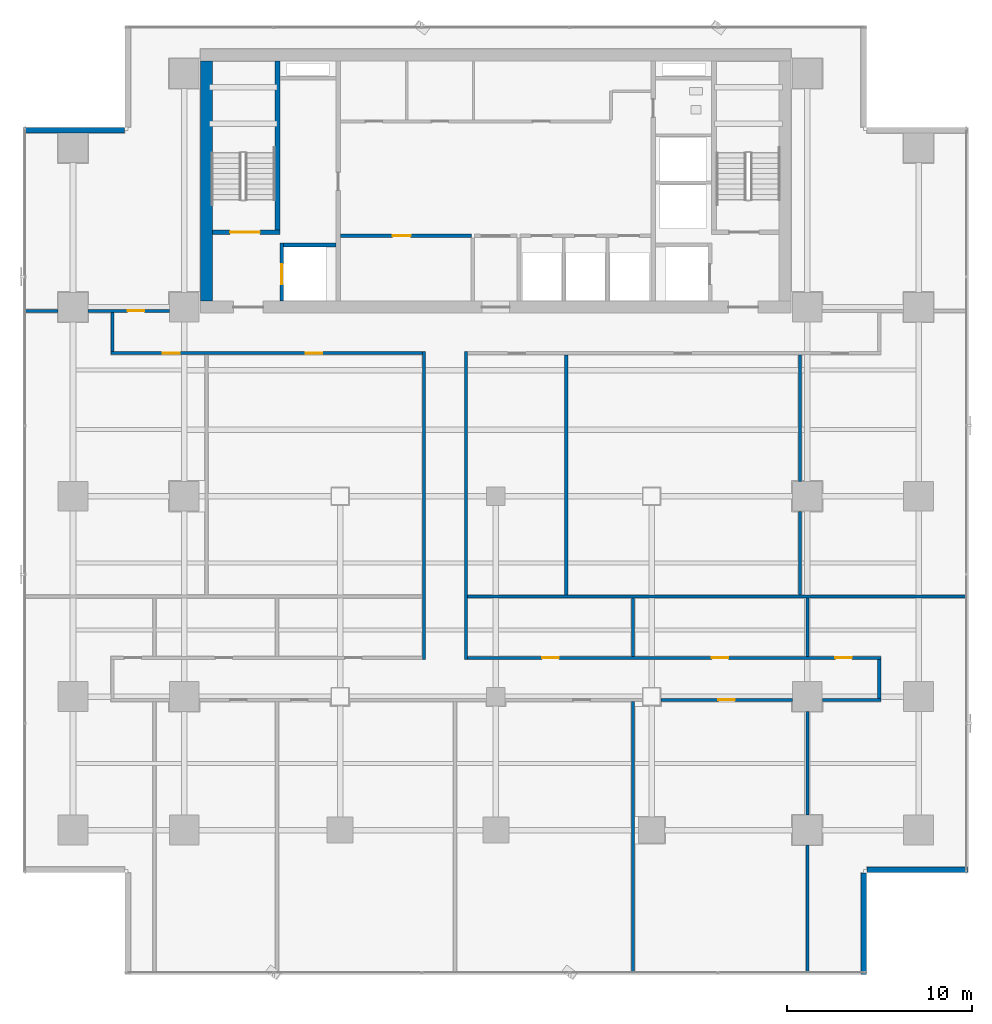
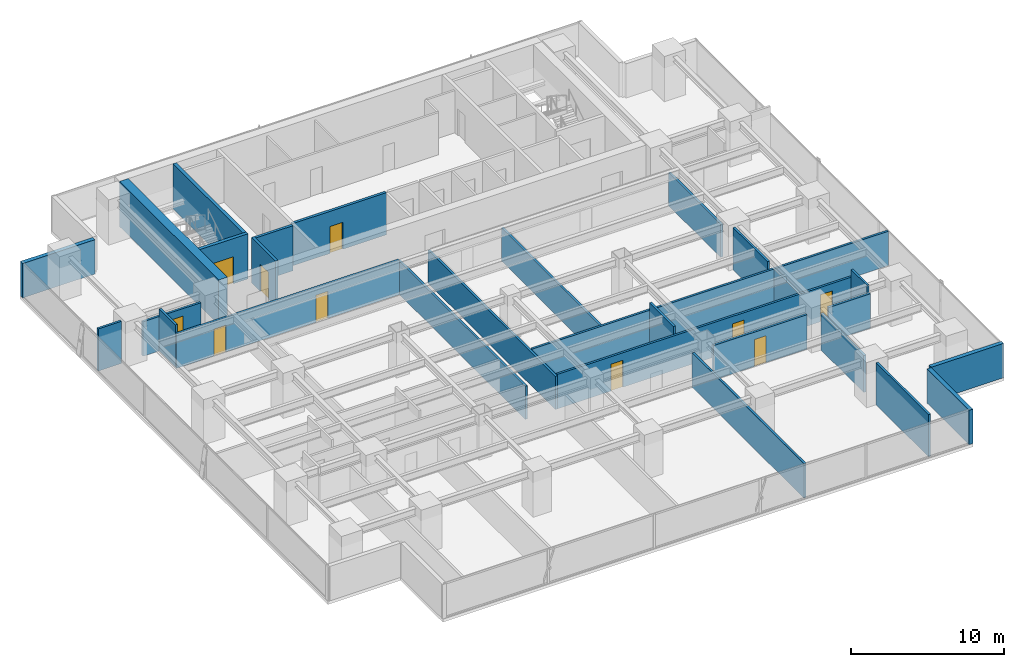
# One storey, part 26 of 34: 28 walls, 10 doors, 10 openings.
"""IFC4 building model written with IfcOpenShell, lengths in metres."""

from ifc_helpers import new_model, si_unit, direction, frame, frame_2d, origin, place, context, subcontext, project, spatial, rectangle, extrude, source, transform, mapped, material, layer, layer_set, type_object, element, fill, save


model = new_model("IFC4")

# Units and contexts
model_context = context("Model", 3, precision=1e-05, world=origin(), true_north=direction((0.0, 1.0)))
body_context = subcontext(model_context, "Body", "Model", "MODEL_VIEW")
ifc_project = project(units=[si_unit("LENGTHUNIT", "METRE"), si_unit("AREAUNIT", "SQUARE_METRE"), si_unit("VOLUMEUNIT", "CUBIC_METRE"), si_unit("PLANEANGLEUNIT", "RADIAN"), si_unit("MASSUNIT", "GRAM", prefix="KILO")], contexts=[model_context])

# Site, building, storey
site_placement = place(None, origin())
site = spatial("IfcSite", under=ifc_project, at=site_placement, CompositionType="ELEMENT")
building_placement = place(site_placement, origin())
building = spatial("IfcBuilding", under=site, at=building_placement, Name="Sumidabori Civic Tower", CompositionType="ELEMENT")
storey_placement = place(building_placement, frame((0.0, 0.0, 106.39990234375)))
storey = spatial("IfcBuildingStorey", under=building, at=storey_placement, Name="L27", CompositionType="ELEMENT", Elevation=106.39990234375)

# Walls
ifc_material_1 = material(Name="Concrete C50/60", Category="concrete")
ifc_layer_1 = layer(ifc_material_1, 0.199951171875, Name="Concrete C50/60")
ifc_layer_set_1 = layer_set([ifc_layer_1], Name="Concrete C50/60")
wall_type_1 = type_object("IfcWallType", Name="WL-SHAFT-200", PredefinedType="SHEAR", material=ifc_layer_set_1)
shared_shape_1 = source(origin(), body_context, "Body", "SweptSolid", [
    extrude(rectangle(XDim=2.824951171875, YDim=0.199951171875, at=frame_2d((1.41259765625, 0.0))), origin(), (0.0, 0.0, 1.0), 3.60009765625),
])
wall_1_placement = place(storey_placement, frame((-11.449951171875, 13.550048828125, 0.0), z_axis=(0.0, 0.0, 1.0), x_axis=(1.0, 0.0, 0.0)))
element("IfcWall", 1, at=wall_1_placement, inside=storey, type_object=wall_type_1, Name="Core Shear Wall L27 EL1-N", PredefinedType="SHEAR", context=body_context, shape_type="MappedRepresentation", body=[
    mapped(shared_shape_1, transform((0.0, 0.0, 0.0), x_axis=(1.0, 0.0, 0.0), y_axis=(0.0, 1.0, 0.0), z_axis=(0.0, 0.0, 1.0), scale=1.0)),
])
ifc_material_2 = material(Name="Concrete C60/75", Category="concrete")
ifc_layer_2 = layer(ifc_material_2, 0.64990234375, Name="Concrete C60/75")
ifc_layer_set_2 = layer_set([ifc_layer_2], Name="Concrete C60/75")
wall_type_2 = type_object("IfcWallType", Name="WL-CORE-650", PredefinedType="SHEAR", material=ifc_layer_set_2)
shared_shape_2 = source(origin(), body_context, "Body", "SweptSolid", [
    extrude(rectangle(XDim=12.9501953125, YDim=0.64990234375, at=frame_2d((6.47509765625, 0.0))), origin(), (0.0, 0.0, 1.0), 3.60009765625),
])
wall_2_placement = place(storey_placement, frame((-15.60009765625, 10.52490234375, 0.0), z_axis=(0.0, 0.0, 1.0), x_axis=(0.0, 1.0, 0.0)))
element("IfcWall", 2, at=wall_2_placement, inside=storey, type_object=wall_type_2, Name="Core Shear Wall L27 W", PredefinedType="SHEAR", context=body_context, shape_type="MappedRepresentation", body=[
    mapped(shared_shape_2, transform((0.0, 0.0, 0.0), x_axis=(1.0, 0.0, 0.0), y_axis=(0.0, 1.0, 0.0), z_axis=(0.0, 0.0, 1.0), scale=1.0)),
])

# Wall, opening, door
ifc_layer_3 = layer(ifc_material_1, 0.25, Name="Concrete C50/60")
ifc_layer_set_3 = layer_set([ifc_layer_3], Name="Concrete C50/60")
wall_type_3 = type_object("IfcWallType", Name="WL-SHAFT-250", PredefinedType="SHEAR", material=ifc_layer_set_3)
shared_shape_3 = source(origin(), body_context, "Body", "SweptSolid", [
    extrude(rectangle(XDim=3.6298828125, YDim=0.25, at=frame_2d((1.81494140625, 0.0))), origin(), (0.0, 0.0, 1.0), 3.60009765625),
])
wall_3_placement = place(storey_placement, frame((-15.27490234375, 14.25, 0.0), z_axis=(0.0, 0.0, 1.0), x_axis=(1.0, 0.0, 0.0)))
wall_3 = element("IfcWall", 3, at=wall_3_placement, inside=storey, type_object=wall_type_3, Name="Core Shear Wall L27 ST1-S", PredefinedType="SHEAR", context=body_context, shape_type="MappedRepresentation", body=[
    mapped(shared_shape_3, transform((0.0, 0.0, 0.0), x_axis=(1.0, 0.0, 0.0), y_axis=(0.0, 1.0, 0.0), z_axis=(0.0, 0.0, 1.0), scale=1.0)),
])
opening_1_placement = place(wall_3_placement, frame((0.949951171875, 0.0, 0.0)))
opening_1 = element("IfcOpeningElement", 4, at=opening_1_placement, cuts=wall_3, Name="Opening DR-FD4", PredefinedType="OPENING", context=body_context, shape_type="SweptSolid", body=[
    extrude(rectangle(XDim=1.60009765625, YDim=2.14990234375, at=frame_2d((0.800048828125, 1.074951171875))), frame((0.0, 0.136962890625, 0.0), z_axis=(0.0, -1.0, 0.0), x_axis=(1.0, 0.0, 0.0)), (0.0, 0.0, 1.0), 0.27392578125),
])
ifc_material_3 = material(Name="Steel SN490", Category="steel")
door_type_1 = type_object("IfcDoorType", Name="DR-FD4", OperationType="DOUBLE_DOOR_SINGLE_SWING", PredefinedType="DOOR", material=ifc_material_3)
shared_shape_4 = source(origin(), body_context, "Body", "SweptSolid", [
    extrude(rectangle(XDim=1.60009765625, YDim=2.14990234375, at=frame_2d((0.800048828125, 1.074951171875))), frame((0.0, 0.02490234375, 0.0), z_axis=(0.0, -1.0, 0.0), x_axis=(1.0, 0.0, 0.0)), (0.0, 0.0, 1.0), 0.050048828125),
])
door_1_placement = place(opening_1_placement, origin())
door_1 = element("IfcDoor", 5, at=door_1_placement, inside=storey, type_object=door_type_1, Name="Door DR:L27:ST1", OperationType="DOUBLE_DOOR_SINGLE_SWING", OverallHeight=2.14990234375, OverallWidth=1.60009765625, PredefinedType="DOOR", context=body_context, shape_type="MappedRepresentation", body=[
    mapped(shared_shape_4, transform((0.0, 0.0, 0.0), x_axis=(1.0, 0.0, 0.0), y_axis=(0.0, 1.0, 0.0), z_axis=(0.0, 0.0, 1.0), scale=1.0)),
])
fill(opening_1, door_1)

# Wall
shared_shape_5 = source(origin(), body_context, "Body", "SweptSolid", [
    extrude(rectangle(XDim=9.10009765625, YDim=0.25, at=frame_2d((4.550048828125, 0.0))), origin(), (0.0, 0.0, 1.0), 3.60009765625),
])
wall_4_placement = place(storey_placement, frame((-11.77001953125, 14.375, 0.0), z_axis=(0.0, 0.0, 1.0), x_axis=(0.0, 1.0, 0.0)))
element("IfcWall", 6, at=wall_4_placement, inside=storey, type_object=wall_type_3, Name="Core Shear Wall L27 ST1-E", PredefinedType="SHEAR", context=body_context, shape_type="MappedRepresentation", body=[
    mapped(shared_shape_5, transform((0.0, 0.0, 0.0), x_axis=(1.0, 0.0, 0.0), y_axis=(0.0, 1.0, 0.0), z_axis=(0.0, 0.0, 1.0), scale=1.0)),
])

# Wall, opening, door
shared_shape_6 = source(origin(), body_context, "Body", "SweptSolid", [
    extrude(rectangle(XDim=3.125, YDim=0.199951171875, at=frame_2d((1.5625, 0.0))), origin(), (0.0, 0.0, 1.0), 3.60009765625),
])
wall_5_placement = place(storey_placement, frame((-11.550048828125, 10.52490234375, 0.0), z_axis=(0.0, 0.0, 1.0), x_axis=(0.0, 1.0, 0.0)))
wall_5 = element("IfcWall", 7, at=wall_5_placement, inside=storey, type_object=wall_type_1, Name="Core Shear Wall L27 EL1-W", PredefinedType="SHEAR", context=body_context, shape_type="MappedRepresentation", body=[
    mapped(shared_shape_6, transform((0.0, 0.0, 0.0), x_axis=(1.0, 0.0, 0.0), y_axis=(0.0, 1.0, 0.0), z_axis=(0.0, 0.0, 1.0), scale=1.0)),
])
opening_2_placement = place(wall_5_placement, frame((0.89990234375, 0.0, 0.0)))
opening_2 = element("IfcOpeningElement", 8, at=opening_2_placement, cuts=wall_5, Name="Opening LD-2", PredefinedType="OPENING", context=body_context, shape_type="SweptSolid", body=[
    extrude(rectangle(XDim=1.10009765625, YDim=2.14990234375, at=frame_2d((0.550048828125, 1.074951171875))), frame((0.0, 0.11181640625, 0.0), z_axis=(0.0, -1.0, 0.0), x_axis=(1.0, 0.0, 0.0)), (0.0, 0.0, 1.0), 0.223876953125),
])
ifc_material_4 = material(Name="Stainless Steel Hairline Finish", Category="steel")
door_type_2 = type_object("IfcDoorType", Name="DR-LD2", OperationType="DOUBLE_DOOR_SLIDING", PredefinedType="DOOR", material=ifc_material_4)
shared_shape_7 = source(origin(), body_context, "Body", "SweptSolid", [
    extrude(rectangle(XDim=1.10009765625, YDim=2.14990234375, at=frame_2d((0.550048828125, 1.074951171875))), frame((0.0, 0.02490234375, 0.0), z_axis=(0.0, -1.0, 0.0), x_axis=(1.0, 0.0, 0.0)), (0.0, 0.0, 1.0), 0.050048828125),
])
door_2_placement = place(opening_2_placement, origin())
door_2 = element("IfcDoor", 9, at=door_2_placement, inside=storey, type_object=door_type_2, Name="Door DR:L27:LD-EL1", OperationType="DOUBLE_DOOR_SLIDING", OverallHeight=2.14990234375, OverallWidth=1.10009765625, PredefinedType="DOOR", context=body_context, shape_type="MappedRepresentation", body=[
    mapped(shared_shape_7, transform((0.0, 0.0, 0.0), x_axis=(1.0, 0.0, 0.0), y_axis=(0.0, 1.0, 0.0), z_axis=(0.0, 0.0, 1.0), scale=1.0)),
])
fill(opening_2, door_2)

# Walls
ifc_material_5 = material(Name="Precast concrete C40/50", Category="concrete")
ifc_layer_4 = layer(ifc_material_5, 0.300048828125, Name="Precast concrete C40/50")
ifc_layer_set_4 = layer_set([ifc_layer_4], Name="Precast concrete C40/50")
wall_type_4 = type_object("IfcWallType", Name="WL-EXT-POD300", PredefinedType="STANDARD", material=ifc_layer_set_4)
shared_shape_8 = source(origin(), body_context, "Body", "SweptSolid", [
    extrude(rectangle(XDim=5.4599609375, YDim=0.300048828125, at=frame_2d((2.72998046875, 0.0))), origin(), (0.0, 0.0, 1.0), 2.739990234375),
])
for number, where, z_axis, x_axis, name in (
    (10, (19.85009765625, -25.780029296875, 0.0), (0.0, 0.0, 1.0), (0.0, 1.0, 0.0), "Notched Corner Spandrel Band L27-02"),
    (11, (20.02001953125, -20.14990234375, 0.0), (0.0, 0.0, 1.0), (1.0, 0.0, 0.0), "Notched Corner Spandrel Band L27-03"),
    (12, (-20.02001953125, 19.75, 0.0), (0.0, 0.0, 1.0), (-1.0, 0.0, 0.0), "Notched Corner Spandrel Band L27-09"),
):
    element("IfcWall", number, at=place(storey_placement, frame(where, z_axis=z_axis, x_axis=x_axis)), inside=storey, type_object=wall_type_4, Name=name, PredefinedType="STANDARD", context=body_context, shape_type="MappedRepresentation", body=[
        mapped(shared_shape_8, transform((0.0, 0.0, 0.0), x_axis=(1.0, 0.0, 0.0), y_axis=(0.0, 1.0, 0.0), z_axis=(0.0, 0.0, 1.0), scale=1.0)),
    ])

# Wall, opening, door
ifc_material_6 = material(Name="Gypsum Plasterboard Fire Partition")
ifc_layer_5 = layer(ifc_material_6, 0.199951171875, Name="Gypsum Plasterboard Fire Partition")
ifc_layer_set_5 = layer_set([ifc_layer_5], Name="Gypsum Plasterboard Fire Partition")
wall_type_5 = type_object("IfcWallType", Name="WL-PART-FIRE", PredefinedType="PARTITIONING", material=ifc_layer_set_5)
shared_shape_9 = source(origin(), body_context, "Body", "SweptSolid", [
    extrude(rectangle(XDim=7.070068359375, YDim=0.199951171875, at=frame_2d((3.53515625, 0.0))), origin(), (0.0, 0.0, 1.0), 3.360107421875),
])
wall_6_placement = place(storey_placement, frame((-8.3701171875, 14.050048828125, 0.0), z_axis=(0.0, 0.0, 1.0), x_axis=(1.0, 0.0, 0.0)))
wall_6 = element("IfcWall", 13, at=wall_6_placement, inside=storey, type_object=wall_type_5, Name="Interior Partition WL:L27:CBAND-SW", PredefinedType="PARTITIONING", context=body_context, shape_type="MappedRepresentation", body=[
    mapped(shared_shape_9, transform((0.0, 0.0, 0.0), x_axis=(1.0, 0.0, 0.0), y_axis=(0.0, 1.0, 0.0), z_axis=(0.0, 0.0, 1.0), scale=1.0)),
])
opening_3_placement = place(wall_6_placement, frame((2.800048828125, 0.0, 0.0)))
opening_3 = element("IfcOpeningElement", 14, at=opening_3_placement, cuts=wall_6, Name="Opening DR-3", PredefinedType="OPENING", context=body_context, shape_type="SweptSolid", body=[
    extrude(rectangle(XDim=0.97998046875, YDim=2.14990234375, at=frame_2d((0.489990234375, 1.074951171875))), frame((0.0, 0.11181640625, 0.0), z_axis=(0.0, -1.0, 0.0), x_axis=(1.0, 0.0, 0.0)), (0.0, 0.0, 1.0), 0.223876953125),
])
ifc_material_7 = material(Name="Japanese Hinoki Timber", Category="wood")
door_type_3 = type_object("IfcDoorType", Name="DR-INT-980", OperationType="NOTDEFINED", PredefinedType="DOOR", material=ifc_material_7)
shared_shape_10 = source(origin(), body_context, "Body", "SweptSolid", [
    extrude(rectangle(XDim=0.97998046875, YDim=2.14990234375, at=frame_2d((0.489990234375, 1.074951171875))), frame((0.0, 0.02490234375, 0.0), z_axis=(0.0, -1.0, 0.0), x_axis=(1.0, 0.0, 0.0)), (0.0, 0.0, 1.0), 0.050048828125),
])
door_3_placement = place(opening_3_placement, origin())
door_3 = element("IfcDoor", 15, at=door_3_placement, inside=storey, type_object=door_type_3, Name="Door DR:L27:REC-B1", OperationType="SINGLE_SWING_LEFT", OverallHeight=2.14990234375, OverallWidth=0.97998046875, PredefinedType="DOOR", context=body_context, shape_type="MappedRepresentation", body=[
    mapped(shared_shape_10, transform((0.0, 0.0, 0.0), x_axis=(1.0, 0.0, 0.0), y_axis=(0.0, 1.0, 0.0), z_axis=(0.0, 0.0, 1.0), scale=1.0)),
])
fill(opening_3, door_3)

# Walls
ifc_material_8 = material(Name="Gypsum Plasterboard Acoustic Partition")
ifc_layer_6 = layer(ifc_material_8, 0.1650390625, Name="Gypsum Plasterboard Acoustic Partition")
ifc_layer_set_6 = layer_set([ifc_layer_6], Name="Gypsum Plasterboard Acoustic Partition")
wall_type_6 = type_object("IfcWallType", Name="WL-PART-165", PredefinedType="PARTITIONING", material=ifc_layer_set_6)
shared_shape_11 = source(origin(), body_context, "Body", "SweptSolid", [
    extrude(rectangle(XDim=16.60009765625, YDim=0.1650390625, at=frame_2d((8.300048828125, 0.0))), origin(), (0.0, 0.0, 1.0), 2.64501953125),
])
for number, where, z_axis, x_axis, name in (
    (16, (-3.882568359375, -8.800048828125, 0.0), (0.0, 0.0, 1.0), (0.0, 1.0, 0.0), "Interior Partition WL:L27:CORR-VSP-W"),
    (17, (-1.617431640625, -8.800048828125, 0.0), (0.0, 0.0, 1.0), (0.0, 1.0, 0.0), "Interior Partition WL:L27:CORR-VSP-E"),
):
    element("IfcWall", number, at=place(storey_placement, frame(where, z_axis=z_axis, x_axis=x_axis)), inside=storey, type_object=wall_type_6, Name=name, PredefinedType="PARTITIONING", context=body_context, shape_type="MappedRepresentation", body=[
        mapped(shared_shape_11, transform((0.0, 0.0, 0.0), x_axis=(1.0, 0.0, 0.0), y_axis=(0.0, 1.0, 0.0), z_axis=(0.0, 0.0, 1.0), scale=1.0)),
    ])
shared_shape_12 = source(origin(), body_context, "Body", "SweptSolid", [
    extrude(rectangle(XDim=12.9423828125, YDim=0.1650390625, at=frame_2d((6.47119140625, 0.0))), origin(), (0.0, 0.0, 1.0), 2.64501953125),
])
wall_7_placement = place(storey_placement, frame((3.800048828125, -5.3125, 0.0), z_axis=(0.0, 0.0, 1.0), x_axis=(0.0, 1.0, 0.0)))
element("IfcWall", 18, at=wall_7_placement, inside=storey, type_object=wall_type_6, Name="Interior Partition WL:L27:VX-N2", PredefinedType="PARTITIONING", context=body_context, shape_type="MappedRepresentation", body=[
    mapped(shared_shape_12, transform((0.0, 0.0, 0.0), x_axis=(1.0, 0.0, 0.0), y_axis=(0.0, 1.0, 0.0), z_axis=(0.0, 0.0, 1.0), scale=1.0)),
])
shared_shape_13 = source(origin(), body_context, "Body", "SweptSolid", [
    extrude(rectangle(XDim=6.81982421875, YDim=0.1650390625, at=frame_2d((3.409912109375, 0.0))), origin(), (0.0, 0.0, 1.0), 2.64501953125),
])
wall_8_placement = place(storey_placement, frame((16.39990234375, 0.81005859375, 0.0), z_axis=(0.0, 0.0, 1.0), x_axis=(0.0, 1.0, 0.0)))
element("IfcWall", 19, at=wall_8_placement, inside=storey, type_object=wall_type_6, Name="Interior Partition WL:L27:VX-N3-2", PredefinedType="PARTITIONING", context=body_context, shape_type="MappedRepresentation", body=[
    mapped(shared_shape_13, transform((0.0, 0.0, 0.0), x_axis=(1.0, 0.0, 0.0), y_axis=(0.0, 1.0, 0.0), z_axis=(0.0, 0.0, 1.0), scale=1.0)),
])
shared_shape_14 = source(origin(), body_context, "Body", "SweptSolid", [
    extrude(rectangle(XDim=5.579833984375, YDim=0.1650390625, at=frame_2d((2.7900390625, 0.0))), origin(), (0.0, 0.0, 1.0), 2.945068359375),
])
wall_9_placement = place(storey_placement, frame((16.800048828125, -17.18994140625, 0.0), z_axis=(0.0, 0.0, 1.0), x_axis=(0.0, 1.0, 0.0)))
element("IfcWall", 20, at=wall_9_placement, inside=storey, type_object=wall_type_6, Name="Interior Partition WL:L27:VX-S5-2", PredefinedType="PARTITIONING", context=body_context, shape_type="MappedRepresentation", body=[
    mapped(shared_shape_14, transform((0.0, 0.0, 0.0), x_axis=(1.0, 0.0, 0.0), y_axis=(0.0, 1.0, 0.0), z_axis=(0.0, 0.0, 1.0), scale=1.0)),
])
shared_shape_15 = source(origin(), body_context, "Body", "SweptSolid", [
    extrude(rectangle(XDim=1.739990234375, YDim=0.1650390625, at=frame_2d((0.8701171875, 0.0))), origin(), (0.0, 0.0, 1.0), 3.360107421875),
])
wall_10_placement = place(storey_placement, frame((-25.35009765625, 10.0, 0.0), z_axis=(0.0, 0.0, 1.0), x_axis=(1.0, 0.0, 0.0)))
element("IfcWall", 21, at=wall_10_placement, inside=storey, type_object=wall_type_6, Name="Interior Partition WL:L27:FLK-NW-1", PredefinedType="PARTITIONING", context=body_context, shape_type="MappedRepresentation", body=[
    mapped(shared_shape_15, transform((0.0, 0.0, 0.0), x_axis=(1.0, 0.0, 0.0), y_axis=(0.0, 1.0, 0.0), z_axis=(0.0, 0.0, 1.0), scale=1.0)),
])

# Wall, opening, door
shared_shape_16 = source(origin(), body_context, "Body", "SweptSolid", [
    extrude(rectangle(XDim=4.3798828125, YDim=0.1650390625, at=frame_2d((2.18994140625, 0.0))), origin(), (0.0, 0.0, 1.0), 2.7451171875),
])
wall_11_placement = place(storey_placement, frame((-21.989990234375, 10.0, 0.0), z_axis=(0.0, 0.0, 1.0), x_axis=(1.0, 0.0, 0.0)))
wall_11 = element("IfcWall", 22, at=wall_11_placement, inside=storey, type_object=wall_type_6, Name="Interior Partition WL:L27:FLK-NW-2", PredefinedType="PARTITIONING", context=body_context, shape_type="MappedRepresentation", body=[
    mapped(shared_shape_16, transform((0.0, 0.0, 0.0), x_axis=(1.0, 0.0, 0.0), y_axis=(0.0, 1.0, 0.0), z_axis=(0.0, 0.0, 1.0), scale=1.0)),
])
opening_4_placement = place(wall_11_placement, frame((2.135009765625, 0.0, 0.0)))
opening_4 = element("IfcOpeningElement", 23, at=opening_4_placement, cuts=wall_11, Name="Opening DR-1", PredefinedType="OPENING", context=body_context, shape_type="SweptSolid", body=[
    extrude(rectangle(XDim=0.89990234375, YDim=2.14990234375, at=frame_2d((0.449951171875, 1.074951171875))), frame((0.0, 0.094482421875, 0.0), z_axis=(0.0, -1.0, 0.0), x_axis=(1.0, 0.0, 0.0)), (0.0, 0.0, 1.0), 0.18896484375),
])
door_type_4 = type_object("IfcDoorType", Name="DR-INT-900", OperationType="NOTDEFINED", PredefinedType="DOOR", material=ifc_material_7)
shared_shape_17 = source(origin(), body_context, "Body", "SweptSolid", [
    extrude(rectangle(XDim=0.89990234375, YDim=2.14990234375, at=frame_2d((0.449951171875, 1.074951171875))), frame((0.0, 0.02490234375, 0.0), z_axis=(0.0, -1.0, 0.0), x_axis=(1.0, 0.0, 0.0)), (0.0, 0.0, 1.0), 0.050048828125),
])
door_4_placement = place(opening_4_placement, origin())
door_4 = element("IfcDoor", 24, at=door_4_placement, inside=storey, type_object=door_type_4, Name="Door DR:L27:FLK-NE", OperationType="SINGLE_SWING_LEFT", OverallHeight=2.14990234375, OverallWidth=0.89990234375, PredefinedType="DOOR", context=body_context, shape_type="MappedRepresentation", body=[
    mapped(shared_shape_17, transform((0.0, 0.0, 0.0), x_axis=(1.0, 0.0, 0.0), y_axis=(0.0, 1.0, 0.0), z_axis=(0.0, 0.0, 1.0), scale=1.0)),
])
fill(opening_4, door_4)

# Wall, openings, doors
shared_shape_18 = source(origin(), body_context, "Body", "SweptSolid", [
    extrude(rectangle(XDim=16.7998046875, YDim=0.1650390625, at=frame_2d((8.39990234375, 0.0))), origin(), (0.0, 0.0, 1.0), 2.7451171875),
])
wall_12_placement = place(storey_placement, frame((-20.764892578125, 7.717529296875, 0.0), z_axis=(0.0, 0.0, 1.0), x_axis=(1.0, 0.0, 0.0)))
wall_12 = element("IfcWall", 25, at=wall_12_placement, inside=storey, type_object=wall_type_6, Name="Interior Partition WL:L27:CORR-SW", PredefinedType="PARTITIONING", context=body_context, shape_type="MappedRepresentation", body=[
    mapped(shared_shape_18, transform((0.0, 0.0, 0.0), x_axis=(1.0, 0.0, 0.0), y_axis=(0.0, 1.0, 0.0), z_axis=(0.0, 0.0, 1.0), scale=1.0)),
])
opening_5_placement = place(wall_12_placement, frame((2.813720703125, 0.0, 0.0)))
opening_5 = element("IfcOpeningElement", 26, at=opening_5_placement, cuts=wall_12, Name="Opening DR-1", PredefinedType="OPENING", context=body_context, shape_type="SweptSolid", body=[
    extrude(rectangle(XDim=0.89990234375, YDim=2.14990234375, at=frame_2d((0.449951171875, 1.074951171875))), frame((0.0, 0.094482421875, 0.0), z_axis=(0.0, -1.0, 0.0), x_axis=(1.0, 0.0, 0.0)), (0.0, 0.0, 1.0), 0.18896484375),
])
opening_6_placement = place(wall_12_placement, frame((10.513916015625, 0.0, 0.0)))
opening_6 = element("IfcOpeningElement", 27, at=opening_6_placement, cuts=wall_12, Name="Opening DR-1", PredefinedType="OPENING", context=body_context, shape_type="SweptSolid", body=[
    extrude(rectangle(XDim=0.89990234375, YDim=2.14990234375, at=frame_2d((0.449951171875, 1.074951171875))), frame((0.0, 0.094482421875, 0.0), z_axis=(0.0, -1.0, 0.0), x_axis=(1.0, 0.0, 0.0)), (0.0, 0.0, 1.0), 0.18896484375),
])
door_5_placement = place(opening_5_placement, origin())
door_5 = element("IfcDoor", 28, at=door_5_placement, inside=storey, type_object=door_type_4, Name="Door DR:L27:D02", OperationType="SINGLE_SWING_RIGHT", OverallHeight=2.14990234375, OverallWidth=0.89990234375, PredefinedType="DOOR", context=body_context, shape_type="MappedRepresentation", body=[
    mapped(shared_shape_17, transform((0.0, 0.0, 0.0), x_axis=(1.0, 0.0, 0.0), y_axis=(0.0, 1.0, 0.0), z_axis=(0.0, 0.0, 1.0), scale=1.0)),
])
fill(opening_5, door_5)
door_6_placement = place(opening_6_placement, origin())
door_6 = element("IfcDoor", 29, at=door_6_placement, inside=storey, type_object=door_type_4, Name="Door DR:L27:D04", OperationType="SINGLE_SWING_RIGHT", OverallHeight=2.14990234375, OverallWidth=0.89990234375, PredefinedType="DOOR", context=body_context, shape_type="MappedRepresentation", body=[
    mapped(shared_shape_17, transform((0.0, 0.0, 0.0), x_axis=(1.0, 0.0, 0.0), y_axis=(0.0, 1.0, 0.0), z_axis=(0.0, 0.0, 1.0), scale=1.0)),
])
fill(opening_6, door_6)

shared_shape_19 = source(origin(), body_context, "Body", "SweptSolid", [
    extrude(rectangle(XDim=22.2998046875, YDim=0.1650390625, at=frame_2d((11.14990234375, 0.0))), origin(), (0.0, 0.0, 1.0), 2.7451171875),
])
wall_13_placement = place(storey_placement, frame((-1.534912109375, -8.717529296875, 0.0), z_axis=(0.0, 0.0, 1.0), x_axis=(1.0, 0.0, 0.0)))
wall_13 = element("IfcWall", 30, at=wall_13_placement, inside=storey, type_object=wall_type_6, Name="Interior Partition WL:L27:CORR-MNE", PredefinedType="PARTITIONING", context=body_context, shape_type="MappedRepresentation", body=[
    mapped(shared_shape_19, transform((0.0, 0.0, 0.0), x_axis=(1.0, 0.0, 0.0), y_axis=(0.0, 1.0, 0.0), z_axis=(0.0, 0.0, 1.0), scale=1.0)),
])
opening_7_placement = place(wall_13_placement, frame((4.0361328125, 0.0, 0.0)))
opening_7 = element("IfcOpeningElement", 31, at=opening_7_placement, cuts=wall_13, Name="Opening DR-1", PredefinedType="OPENING", context=body_context, shape_type="SweptSolid", body=[
    extrude(rectangle(XDim=0.89990234375, YDim=2.14990234375, at=frame_2d((0.449951171875, 1.074951171875))), frame((0.0, 0.094482421875, 0.0), z_axis=(0.0, -1.0, 0.0), x_axis=(1.0, 0.0, 0.0)), (0.0, 0.0, 1.0), 0.18896484375),
])
opening_8_placement = place(wall_13_placement, frame((13.18505859375, 0.0, 0.0)))
opening_8 = element("IfcOpeningElement", 32, at=opening_8_placement, cuts=wall_13, Name="Opening DR-1", PredefinedType="OPENING", context=body_context, shape_type="SweptSolid", body=[
    extrude(rectangle(XDim=0.89990234375, YDim=2.14990234375, at=frame_2d((0.449951171875, 1.074951171875))), frame((0.0, 0.094482421875, 0.0), z_axis=(0.0, -1.0, 0.0), x_axis=(1.0, 0.0, 0.0)), (0.0, 0.0, 1.0), 0.18896484375),
])
opening_9_placement = place(wall_13_placement, frame((19.84619140625, 0.0, 0.0)))
opening_9 = element("IfcOpeningElement", 33, at=opening_9_placement, cuts=wall_13, Name="Opening DR-1", PredefinedType="OPENING", context=body_context, shape_type="SweptSolid", body=[
    extrude(rectangle(XDim=0.89990234375, YDim=2.14990234375, at=frame_2d((0.449951171875, 1.074951171875))), frame((0.0, 0.094482421875, 0.0), z_axis=(0.0, -1.0, 0.0), x_axis=(1.0, 0.0, 0.0)), (0.0, 0.0, 1.0), 0.18896484375),
])
door_7_placement = place(opening_7_placement, origin())
door_7 = element("IfcDoor", 34, at=door_7_placement, inside=storey, type_object=door_type_4, Name="Door DR:L27:D09", OperationType="SINGLE_SWING_LEFT", OverallHeight=2.14990234375, OverallWidth=0.89990234375, PredefinedType="DOOR", context=body_context, shape_type="MappedRepresentation", body=[
    mapped(shared_shape_17, transform((0.0, 0.0, 0.0), x_axis=(1.0, 0.0, 0.0), y_axis=(0.0, 1.0, 0.0), z_axis=(0.0, 0.0, 1.0), scale=1.0)),
])
fill(opening_7, door_7)
door_8_placement = place(opening_8_placement, origin())
door_8 = element("IfcDoor", 35, at=door_8_placement, inside=storey, type_object=door_type_4, Name="Door DR:L27:D10", OperationType="SINGLE_SWING_RIGHT", OverallHeight=2.14990234375, OverallWidth=0.89990234375, PredefinedType="DOOR", context=body_context, shape_type="MappedRepresentation", body=[
    mapped(shared_shape_17, transform((0.0, 0.0, 0.0), x_axis=(1.0, 0.0, 0.0), y_axis=(0.0, 1.0, 0.0), z_axis=(0.0, 0.0, 1.0), scale=1.0)),
])
fill(opening_8, door_8)
door_9_placement = place(opening_9_placement, origin())
door_9 = element("IfcDoor", 36, at=door_9_placement, inside=storey, type_object=door_type_4, Name="Door DR:L27:D12", OperationType="SINGLE_SWING_RIGHT", OverallHeight=2.14990234375, OverallWidth=0.89990234375, PredefinedType="DOOR", context=body_context, shape_type="MappedRepresentation", body=[
    mapped(shared_shape_17, transform((0.0, 0.0, 0.0), x_axis=(1.0, 0.0, 0.0), y_axis=(0.0, 1.0, 0.0), z_axis=(0.0, 0.0, 1.0), scale=1.0)),
])
fill(opening_9, door_9)

# Wall
shared_shape_20 = source(origin(), body_context, "Body", "SweptSolid", [
    extrude(rectangle(XDim=3.15478515625, YDim=0.1650390625, at=frame_2d((1.577392578125, 0.0))), origin(), (0.0, 0.0, 1.0), 2.7451171875),
])
wall_14_placement = place(storey_placement, frame((17.610107421875, -10.982421875, 0.0), z_axis=(0.0, 0.0, 1.0), x_axis=(1.0, 0.0, 0.0)))
element("IfcWall", 37, at=wall_14_placement, inside=storey, type_object=wall_type_6, Name="Interior Partition WL:L27:CORR-SS-6", PredefinedType="PARTITIONING", context=body_context, shape_type="MappedRepresentation", body=[
    mapped(shared_shape_20, transform((0.0, 0.0, 0.0), x_axis=(1.0, 0.0, 0.0), y_axis=(0.0, 1.0, 0.0), z_axis=(0.0, 0.0, 1.0), scale=1.0)),
])

# Wall, opening, door
shared_shape_21 = source(origin(), body_context, "Body", "SweptSolid", [
    extrude(rectangle(XDim=7.080078125, YDim=0.1650390625, at=frame_2d((3.5400390625, 0.0))), origin(), (0.0, 0.0, 1.0), 2.7451171875),
])
wall_15_placement = place(storey_placement, frame((8.909912109375, -10.982421875, 0.0), z_axis=(0.0, 0.0, 1.0), x_axis=(1.0, 0.0, 0.0)))
wall_15 = element("IfcWall", 38, at=wall_15_placement, inside=storey, type_object=wall_type_6, Name="Interior Partition WL:L27:CORR-SS-5", PredefinedType="PARTITIONING", context=body_context, shape_type="MappedRepresentation", body=[
    mapped(shared_shape_21, transform((0.0, 0.0, 0.0), x_axis=(1.0, 0.0, 0.0), y_axis=(0.0, 1.0, 0.0), z_axis=(0.0, 0.0, 1.0), scale=1.0)),
])
opening_10_placement = place(wall_15_placement, frame((3.090087890625, 0.0, 0.0)))
opening_10 = element("IfcOpeningElement", 39, at=opening_10_placement, cuts=wall_15, Name="Opening DR-1", PredefinedType="OPENING", context=body_context, shape_type="SweptSolid", body=[
    extrude(rectangle(XDim=0.89990234375, YDim=2.14990234375, at=frame_2d((0.449951171875, 1.074951171875))), frame((0.0, 0.094482421875, 0.0), z_axis=(0.0, -1.0, 0.0), x_axis=(1.0, 0.0, 0.0)), (0.0, 0.0, 1.0), 0.18896484375),
])
door_10_placement = place(opening_10_placement, origin())
door_10 = element("IfcDoor", 40, at=door_10_placement, inside=storey, type_object=door_type_4, Name="Door DR:L27:D16", OperationType="SINGLE_SWING_RIGHT", OverallHeight=2.14990234375, OverallWidth=0.89990234375, PredefinedType="DOOR", context=body_context, shape_type="MappedRepresentation", body=[
    mapped(shared_shape_17, transform((0.0, 0.0, 0.0), x_axis=(1.0, 0.0, 0.0), y_axis=(0.0, 1.0, 0.0), z_axis=(0.0, 0.0, 1.0), scale=1.0)),
])
fill(opening_10, door_10)

# Walls
shared_shape_22 = source(origin(), body_context, "Body", "SweptSolid", [
    extrude(rectangle(XDim=2.107666015625, YDim=0.1650390625, at=frame_2d((1.0537109375, 0.0))), origin(), (0.0, 0.0, 1.0), 3.360107421875),
])
wall_16_placement = place(storey_placement, frame((-20.6826171875, 7.804931640625, 0.0), z_axis=(0.0, 0.0, 1.0), x_axis=(0.0, 1.0, 0.0)))
element("IfcWall", 41, at=wall_16_placement, inside=storey, type_object=wall_type_6, Name="Interior Partition WL:L27:CORR-VNW", PredefinedType="PARTITIONING", context=body_context, shape_type="MappedRepresentation", body=[
    mapped(shared_shape_22, transform((0.0, 0.0, 0.0), x_axis=(1.0, 0.0, 0.0), y_axis=(0.0, 1.0, 0.0), z_axis=(0.0, 0.0, 1.0), scale=1.0)),
])
shared_shape_23 = source(origin(), body_context, "Body", "SweptSolid", [
    extrude(rectangle(XDim=2.090087890625, YDim=0.1650390625, at=frame_2d((1.044921875, 0.0))), origin(), (0.0, 0.0, 1.0), 3.360107421875),
])
wall_17_placement = place(storey_placement, frame((20.6826171875, -10.89501953125, 0.0), z_axis=(0.0, 0.0, 1.0), x_axis=(0.0, 1.0, 0.0)))
element("IfcWall", 42, at=wall_17_placement, inside=storey, type_object=wall_type_6, Name="Interior Partition WL:L27:CORR-VSE", PredefinedType="PARTITIONING", context=body_context, shape_type="MappedRepresentation", body=[
    mapped(shared_shape_23, transform((0.0, 0.0, 0.0), x_axis=(1.0, 0.0, 0.0), y_axis=(0.0, 1.0, 0.0), z_axis=(0.0, 0.0, 1.0), scale=1.0)),
])
shared_shape_24 = source(origin(), body_context, "Body", "SweptSolid", [
    extrude(rectangle(XDim=26.880126953125, YDim=0.1650390625, at=frame_2d((13.43994140625, 0.0))), origin(), (0.0, 0.0, 1.0), 2.7451171875),
])
wall_18_placement = place(storey_placement, frame((-1.530029296875, -5.39990234375, 0.0), z_axis=(0.0, 0.0, 1.0), x_axis=(1.0, 0.0, 0.0)))
element("IfcWall", 43, at=wall_18_placement, inside=storey, type_object=wall_type_6, Name="Interior Partition WL:L27:BAND-Y-2", PredefinedType="PARTITIONING", context=body_context, shape_type="MappedRepresentation", body=[
    mapped(shared_shape_24, transform((0.0, 0.0, 0.0), x_axis=(1.0, 0.0, 0.0), y_axis=(0.0, 1.0, 0.0), z_axis=(0.0, 0.0, 1.0), scale=1.0)),
])
shared_shape_25 = source(origin(), body_context, "Body", "SweptSolid", [
    extrude(rectangle(XDim=4.50244140625, YDim=0.1650390625, at=frame_2d((2.251220703125, 0.0))), origin(), (0.0, 0.0, 1.0), 3.360107421875),
])
wall_19_placement = place(storey_placement, frame((16.39990234375, -5.3125, 0.0), z_axis=(0.0, 0.0, 1.0), x_axis=(0.0, 1.0, 0.0)))
element("IfcWall", 44, at=wall_19_placement, inside=storey, type_object=wall_type_6, Name="Interior Partition WL:L27:VX-N3-1", PredefinedType="PARTITIONING", context=body_context, shape_type="MappedRepresentation", body=[
    mapped(shared_shape_25, transform((0.0, 0.0, 0.0), x_axis=(1.0, 0.0, 0.0), y_axis=(0.0, 1.0, 0.0), z_axis=(0.0, 0.0, 1.0), scale=1.0)),
])
shared_shape_26 = source(origin(), body_context, "Body", "SweptSolid", [
    extrude(rectangle(XDim=14.579833984375, YDim=0.1650390625, at=frame_2d((7.2900390625, 0.0))), origin(), (0.0, 0.0, 1.0), 2.7451171875),
])
wall_20_placement = place(storey_placement, frame((7.39990234375, -25.64990234375, 0.0), z_axis=(0.0, 0.0, 1.0), x_axis=(0.0, 1.0, 0.0)))
element("IfcWall", 45, at=wall_20_placement, inside=storey, type_object=wall_type_6, Name="Interior Partition WL:L27:VX-S4-1", PredefinedType="PARTITIONING", context=body_context, shape_type="MappedRepresentation", body=[
    mapped(shared_shape_26, transform((0.0, 0.0, 0.0), x_axis=(1.0, 0.0, 0.0), y_axis=(0.0, 1.0, 0.0), z_axis=(0.0, 0.0, 1.0), scale=1.0)),
])
shared_shape_27 = source(origin(), body_context, "Body", "SweptSolid", [
    extrude(rectangle(XDim=3.142333984375, YDim=0.1650390625, at=frame_2d((1.5712890625, 0.0))), origin(), (0.0, 0.0, 1.0), 3.360107421875),
])
wall_21_placement = place(storey_placement, frame((7.39990234375, -8.6298828125, 0.0), z_axis=(0.0, 0.0, 1.0), x_axis=(0.0, 1.0, 0.0)))
element("IfcWall", 46, at=wall_21_placement, inside=storey, type_object=wall_type_6, Name="Interior Partition WL:L27:VX-S4-2", PredefinedType="PARTITIONING", context=body_context, shape_type="MappedRepresentation", body=[
    mapped(shared_shape_27, transform((0.0, 0.0, 0.0), x_axis=(1.0, 0.0, 0.0), y_axis=(0.0, 1.0, 0.0), z_axis=(0.0, 0.0, 1.0), scale=1.0)),
])
shared_shape_28 = source(origin(), body_context, "Body", "SweptSolid", [
    extrude(rectangle(XDim=6.83984375, YDim=0.1650390625, at=frame_2d((3.419921875, 0.0))), origin(), (0.0, 0.0, 1.0), 3.360107421875),
])
wall_22_placement = place(storey_placement, frame((16.800048828125, -25.64990234375, 0.0), z_axis=(0.0, 0.0, 1.0), x_axis=(0.0, 1.0, 0.0)))
element("IfcWall", 47, at=wall_22_placement, inside=storey, type_object=wall_type_6, Name="Interior Partition WL:L27:VX-S5-1", PredefinedType="PARTITIONING", context=body_context, shape_type="MappedRepresentation", body=[
    mapped(shared_shape_28, transform((0.0, 0.0, 0.0), x_axis=(1.0, 0.0, 0.0), y_axis=(0.0, 1.0, 0.0), z_axis=(0.0, 0.0, 1.0), scale=1.0)),
])
shared_shape_29 = source(origin(), body_context, "Body", "SweptSolid", [
    extrude(rectangle(XDim=3.142333984375, YDim=0.1650390625, at=frame_2d((1.5712890625, 0.0))), origin(), (0.0, 0.0, 1.0), 2.7451171875),
])
wall_23_placement = place(storey_placement, frame((16.800048828125, -8.6298828125, 0.0), z_axis=(0.0, 0.0, 1.0), x_axis=(0.0, 1.0, 0.0)))
element("IfcWall", 48, at=wall_23_placement, inside=storey, type_object=wall_type_6, Name="Interior Partition WL:L27:VX-S5-3", PredefinedType="PARTITIONING", context=body_context, shape_type="MappedRepresentation", body=[
    mapped(shared_shape_29, transform((0.0, 0.0, 0.0), x_axis=(1.0, 0.0, 0.0), y_axis=(0.0, 1.0, 0.0), z_axis=(0.0, 0.0, 1.0), scale=1.0)),
])

save(model, "model.ifc")
